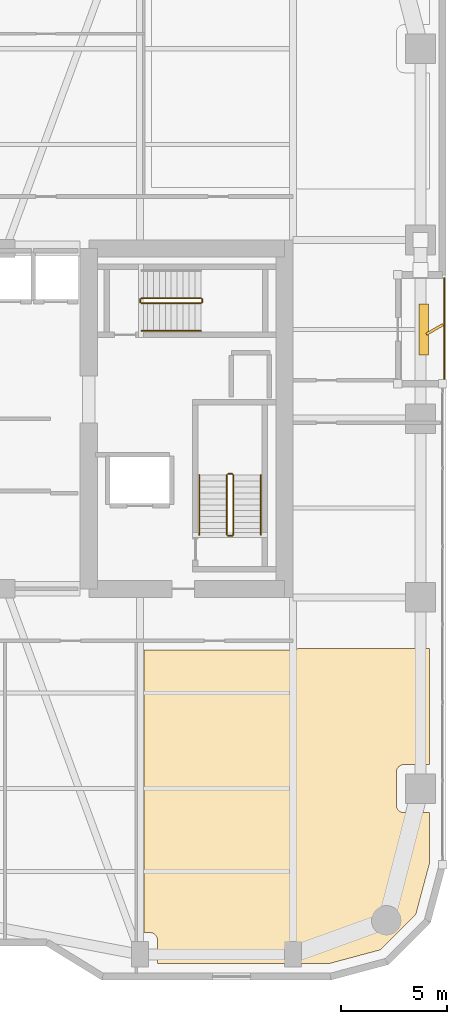
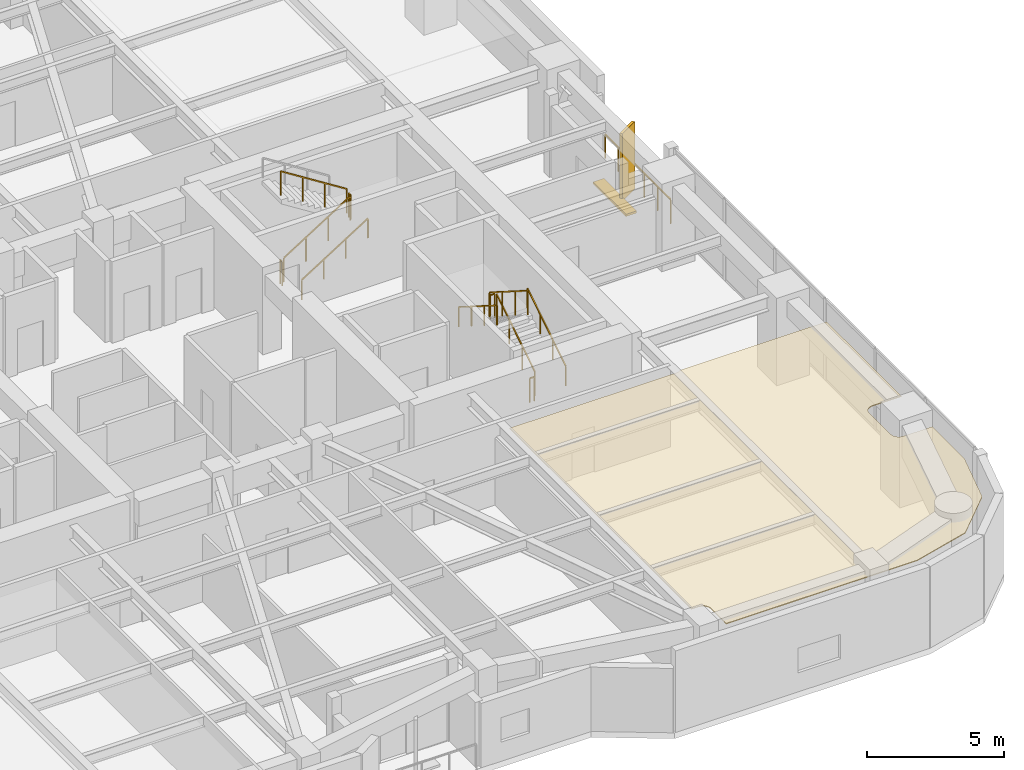
# One storey, part 23 of 24: 12 railings, 2 shading devices, 1 covering.
"""IFC4 building model written with IfcOpenShell, lengths in metres."""

from ifc_helpers import new_model, si_unit, direction, frame, origin, origin_2d, place, context, subcontext, project, spatial, polyline, rectangle, outline, extrude, material, layer, layer_set, type_object, element, save


model = new_model("IFC4")

# Units and contexts
model_context = context("Model", 3, precision=1e-05, world=origin(), true_north=direction((0.0, 1.0)))
body_context = subcontext(model_context, "Body", "Model", "MODEL_VIEW")
ifc_project = project(units=[si_unit("LENGTHUNIT", "METRE"), si_unit("AREAUNIT", "SQUARE_METRE"), si_unit("VOLUMEUNIT", "CUBIC_METRE"), si_unit("PLANEANGLEUNIT", "RADIAN"), si_unit("MASSUNIT", "GRAM", prefix="KILO")], contexts=[model_context])

# Site, building, storey
site_placement = place(None, origin())
site = spatial("IfcSite", under=ifc_project, at=site_placement, CompositionType="ELEMENT")
building_placement = place(site_placement, origin())
building = spatial("IfcBuilding", under=site, at=building_placement, Name="Kiyonajd Concourse Tower", CompositionType="ELEMENT")
storey_placement = place(building_placement, frame((0.0, 0.0, 133.800048828125)))
storey = spatial("IfcBuildingStorey", under=building, at=storey_placement, Name="L34", CompositionType="ELEMENT", Elevation=133.800048828125)

# Covering
ifc_material_1 = material(Name="Natural Oak Acoustic Timber Veneer", Category="wood")
ifc_layer = layer(ifc_material_1, 0.0400390625)
ifc_layer_set = layer_set([ifc_layer], Name="Natural Oak Acoustic Timber Veneer")
covering_type = type_object("IfcCoveringType", Name="CV-CLG-ACST", PredefinedType="CEILING", material=ifc_layer_set)
covering_placement = place(storey_placement, frame((0.0, 0.0, 3.4599609375)))
element("IfcCovering", 1, at=covering_placement, inside=storey, type_object=covering_type, Name="L34-43 Room Acoustic Ceiling", PredefinedType="CEILING", context=body_context, shape_type="SweptSolid", body=[
    extrude(outline(polyline([(57.22998046875, 10.3701171875), (57.22998046875, 11.47998046875), (57.222900390625, 11.548095703125), (57.202880859375, 11.614013671875), (57.1708984375, 11.674072265625), (57.126953125, 11.72705078125), (57.073974609375, 11.77099609375), (57.013916015625, 11.802978515625), (56.9140625, 11.827880859375), (56.60009765625, 11.830078125), (56.60009765625, 25.1201171875), (63.60009765625, 25.1201171875), (63.72998046875, 25.139892578125), (63.79296875, 25.166015625), (63.847900390625, 25.199951171875), (70.030029296875, 25.199951171875), (70.030029296875, 19.72998046875), (68.820068359375, 19.72998046875), (68.751953125, 19.722900390625), (68.655029296875, 19.68896484375), (68.572998046875, 19.626953125), (68.510986328125, 19.544921875), (68.485107421875, 19.48193359375), (68.471923828125, 19.4140625), (68.469970703125, 17.820068359375), (68.485107421875, 17.718017578125), (68.510986328125, 17.655029296875), (68.549072265625, 17.597900390625), (68.597900390625, 17.549072265625), (68.655029296875, 17.510986328125), (68.718017578125, 17.485107421875), (68.785888671875, 17.471923828125), (70.030029296875, 17.469970703125), (70.030029296875, 15.10107421875), (69.385986328125, 12.697998046875), (67.701904296875, 11.013916015625), (65.299072265625, 10.3701171875), (57.22998046875, 10.3701171875)])), origin(), (0.0, 0.0, 1.0), 0.0400390625),
])

# Railings
ifc_material_2 = material(Name="Thermally Broken Anodised Aluminium", Category="aluminium")
railing_type_1 = type_object("IfcRailingType", Name="RL-GRD-LOG", PredefinedType="GUARDRAIL", material=ifc_material_2)
railing_1_placement = place(storey_placement, frame((70.719970703125, 37.800048828125, 0.0)))
element("IfcRailing", 2, at=railing_1_placement, inside=storey, type_object=railing_type_1, Name="L34 Engawa Loggia Perimeter Guard LOG-E", PredefinedType="GUARDRAIL", context=body_context, shape_type="SweptSolid", body=[
    extrude(rectangle(XDim=0.048095703125, YDim=0.048095703125, at=origin_2d()), frame((0.0, 0.0, 1.076171875), z_axis=(0.0, 1.0, 0.0), x_axis=(-1.0, 0.0, 0.0)), (0.0, 0.0, 1.0), 4.800048828125),
    extrude(rectangle(XDim=0.0419921875, YDim=0.0419921875, at=origin_2d()), origin(), (0.0, 0.0, 1.0), 1.052001953125),
    extrude(rectangle(XDim=0.0419921875, YDim=0.0419921875, at=origin_2d()), frame((0.0, 0.9599609375, 0.0)), (0.0, 0.0, 1.0), 1.052001953125),
    extrude(rectangle(XDim=0.0419921875, YDim=0.0419921875, at=origin_2d()), frame((0.0, 1.919921875, 0.0)), (0.0, 0.0, 1.0), 1.052001953125),
    extrude(rectangle(XDim=0.0419921875, YDim=0.0419921875, at=origin_2d()), frame((0.0, 2.880126953125, 0.0)), (0.0, 0.0, 1.0), 1.052001953125),
    extrude(rectangle(XDim=0.0419921875, YDim=0.0419921875, at=origin_2d()), frame((0.0, 3.840087890625, 0.0)), (0.0, 0.0, 1.0), 1.052001953125),
    extrude(rectangle(XDim=0.0419921875, YDim=0.0419921875, at=origin_2d()), frame((0.0, 4.800048828125, 0.0)), (0.0, 0.0, 1.0), 1.052001953125),
])
ifc_material_3 = material(Name="Steel ASTM A500 Grade C", Category="steel")
railing_type_2 = type_object("IfcRailingType", Name="RL-GRD-STR", PredefinedType="GUARDRAIL", material=ifc_material_3)
railing_2_placement = place(storey_placement, frame((60.800048828125, 30.550048828125, 0.17724609375)))
element("IfcRailing", 3, at=railing_2_placement, inside=storey, type_object=railing_type_2, Name="L34 ST2 stair guard 1", PredefinedType="GUARDRAIL", context=body_context, shape_type="SweptSolid", body=[
    extrude(rectangle(XDim=0.048095703125, YDim=0.048095703125, at=origin_2d()), frame((0.0, 0.0, 1.076171875), z_axis=(0.0, 0.844908973607, 0.534910110503), x_axis=(-1.0, 0.0, 0.0)), (0.0, 0.0, 1.0), 3.31396484375),
    extrude(rectangle(XDim=0.0419921875, YDim=0.0419921875, at=origin_2d()), origin(), (0.0, 0.0, 1.0), 1.052001953125),
    extrude(rectangle(XDim=0.0419921875, YDim=0.0419921875, at=origin_2d()), frame((0.0, 0.933349609375, 0.5908203125)), (0.0, 0.0, 1.0), 1.052001953125),
    extrude(rectangle(XDim=0.0419921875, YDim=0.0419921875, at=origin_2d()), frame((0.0, 1.86669921875, 1.181884765625)), (0.0, 0.0, 1.0), 1.052001953125),
    extrude(rectangle(XDim=0.0419921875, YDim=0.0419921875, at=origin_2d()), frame((0.0, 2.800048828125, 1.772705078125)), (0.0, 0.0, 1.0), 1.052001953125),
])
railing_3_placement = place(storey_placement, frame((60.75, 33.39990234375, 1.949951171875)))
element("IfcRailing", 4, at=railing_3_placement, inside=storey, type_object=railing_type_2, Name="L34 ST2 stair guard 2", PredefinedType="GUARDRAIL", context=body_context, shape_type="SweptSolid", body=[
    extrude(rectangle(XDim=0.048095703125, YDim=0.048095703125, at=origin_2d()), frame((0.0, 0.0, 1.076171875), z_axis=(-1.0, 0.0, 0.0), x_axis=(0.0, -1.0, 0.0)), (0.0, 0.0, 1.0), 0.199951171875),
    extrude(rectangle(XDim=0.0419921875, YDim=0.0419921875, at=origin_2d()), origin(), (0.0, 0.0, 1.0), 1.052001953125),
    extrude(rectangle(XDim=0.0419921875, YDim=0.0419921875, at=origin_2d()), frame((-0.199951171875, 0.0, 0.0)), (0.0, 0.0, 1.0), 1.052001953125),
])
railing_4_placement = place(storey_placement, frame((60.5, 33.35009765625, 2.127197265625)))
element("IfcRailing", 5, at=railing_4_placement, inside=storey, type_object=railing_type_2, Name="L34 ST2 stair guard 3", PredefinedType="GUARDRAIL", context=body_context, shape_type="SweptSolid", body=[
    extrude(rectangle(XDim=0.048095703125, YDim=0.048095703125, at=origin_2d()), frame((0.0, 0.0, 1.076171875), z_axis=(0.0, -0.844908973607, 0.534910110503), x_axis=(1.0, 0.0, 0.0)), (0.0, 0.0, 1.0), 3.31396484375),
    extrude(rectangle(XDim=0.0419921875, YDim=0.0419921875, at=origin_2d()), origin(), (0.0, 0.0, 1.0), 1.052001953125),
    extrude(rectangle(XDim=0.0419921875, YDim=0.0419921875, at=origin_2d()), frame((0.0, -0.933349609375, 0.5908203125)), (0.0, 0.0, 1.0), 1.052001953125),
    extrude(rectangle(XDim=0.0419921875, YDim=0.0419921875, at=origin_2d()), frame((0.0, -1.86669921875, 1.181884765625)), (0.0, 0.0, 1.0), 1.052001953125),
    extrude(rectangle(XDim=0.0419921875, YDim=0.0419921875, at=origin_2d()), frame((0.0, -2.800048828125, 1.772705078125)), (0.0, 0.0, 1.0), 1.052001953125),
])
railing_5_placement = place(storey_placement, frame((60.75, 30.5, 0.0)))
element("IfcRailing", 6, at=railing_5_placement, inside=storey, type_object=railing_type_2, Name="L34 ST2 stair guard 4", PredefinedType="GUARDRAIL", context=body_context, shape_type="SweptSolid", body=[
    extrude(rectangle(XDim=0.048095703125, YDim=0.048095703125, at=origin_2d()), frame((0.0, 0.0, 1.076171875), z_axis=(-1.0, 0.0, 0.0), x_axis=(0.0, -1.0, 0.0)), (0.0, 0.0, 1.0), 0.199951171875),
    extrude(rectangle(XDim=0.0419921875, YDim=0.0419921875, at=origin_2d()), origin(), (0.0, 0.0, 1.0), 1.052001953125),
    extrude(rectangle(XDim=0.0419921875, YDim=0.0419921875, at=origin_2d()), frame((-0.199951171875, 0.0, 0.0)), (0.0, 0.0, 1.0), 1.052001953125),
])
railing_6_placement = place(storey_placement, frame((56.47998046875, 41.429931640625, 0.17724609375)))
element("IfcRailing", 7, at=railing_6_placement, inside=storey, type_object=railing_type_2, Name="L34 ST3 stair guard 1", PredefinedType="GUARDRAIL", context=body_context, shape_type="SweptSolid", body=[
    extrude(rectangle(XDim=0.048095703125, YDim=0.048095703125, at=origin_2d()), frame((0.0, 0.0, 1.076171875), z_axis=(0.844908973607, 0.0, 0.534910110503), x_axis=(0.0, 1.0, 0.0)), (0.0, 0.0, 1.0), 3.31396484375),
    extrude(rectangle(XDim=0.0419921875, YDim=0.0419921875, at=origin_2d()), origin(), (0.0, 0.0, 1.0), 1.052001953125),
    extrude(rectangle(XDim=0.0419921875, YDim=0.0419921875, at=origin_2d()), frame((0.933349609375, 0.0, 0.5908203125)), (0.0, 0.0, 1.0), 1.052001953125),
    extrude(rectangle(XDim=0.0419921875, YDim=0.0419921875, at=origin_2d()), frame((1.86669921875, 0.0, 1.181884765625)), (0.0, 0.0, 1.0), 1.052001953125),
    extrude(rectangle(XDim=0.0419921875, YDim=0.0419921875, at=origin_2d()), frame((2.800048828125, 0.0, 1.772705078125)), (0.0, 0.0, 1.0), 1.052001953125),
])
railing_7_placement = place(storey_placement, frame((59.330078125, 41.47998046875, 1.949951171875)))
element("IfcRailing", 8, at=railing_7_placement, inside=storey, type_object=railing_type_2, Name="L34 ST3 stair guard 2", PredefinedType="GUARDRAIL", context=body_context, shape_type="SweptSolid", body=[
    extrude(rectangle(XDim=0.048095703125, YDim=0.048095703125, at=origin_2d()), frame((0.0, 0.0, 1.076171875), z_axis=(0.0, 1.0, 0.0), x_axis=(-1.0, 0.0, 0.0)), (0.0, 0.0, 1.0), 0.14013671875),
    extrude(rectangle(XDim=0.0419921875, YDim=0.0419921875, at=origin_2d()), origin(), (0.0, 0.0, 1.0), 1.052001953125),
    extrude(rectangle(XDim=0.0419921875, YDim=0.0419921875, at=origin_2d()), frame((0.0, 0.14013671875, 0.0)), (0.0, 0.0, 1.0), 1.052001953125),
])
railing_8_placement = place(storey_placement, frame((59.280029296875, 41.669921875, 2.127197265625)))
element("IfcRailing", 9, at=railing_8_placement, inside=storey, type_object=railing_type_2, Name="L34 ST3 stair guard 3", PredefinedType="GUARDRAIL", context=body_context, shape_type="SweptSolid", body=[
    extrude(rectangle(XDim=0.048095703125, YDim=0.048095703125, at=origin_2d()), frame((0.0, 0.0, 1.076171875), z_axis=(-0.844908973607, 0.0, 0.534910110503), x_axis=(0.0, -1.0, 0.0)), (0.0, 0.0, 1.0), 3.31396484375),
    extrude(rectangle(XDim=0.0419921875, YDim=0.0419921875, at=origin_2d()), origin(), (0.0, 0.0, 1.0), 1.052001953125),
    extrude(rectangle(XDim=0.0419921875, YDim=0.0419921875, at=origin_2d()), frame((-0.933349609375, 0.0, 0.5908203125)), (0.0, 0.0, 1.0), 1.052001953125),
    extrude(rectangle(XDim=0.0419921875, YDim=0.0419921875, at=origin_2d()), frame((-1.86669921875, 0.0, 1.181884765625)), (0.0, 0.0, 1.0), 1.052001953125),
    extrude(rectangle(XDim=0.0419921875, YDim=0.0419921875, at=origin_2d()), frame((-2.800048828125, 0.0, 1.772705078125)), (0.0, 0.0, 1.0), 1.052001953125),
])
railing_9_placement = place(storey_placement, frame((56.429931640625, 41.47998046875, 0.0)))
element("IfcRailing", 10, at=railing_9_placement, inside=storey, type_object=railing_type_2, Name="L34 ST3 stair guard 4", PredefinedType="GUARDRAIL", context=body_context, shape_type="SweptSolid", body=[
    extrude(rectangle(XDim=0.048095703125, YDim=0.048095703125, at=origin_2d()), frame((0.0, 0.0, 1.076171875), z_axis=(0.0, 1.0, 0.0), x_axis=(-1.0, 0.0, 0.0)), (0.0, 0.0, 1.0), 0.14013671875),
    extrude(rectangle(XDim=0.0419921875, YDim=0.0419921875, at=origin_2d()), origin(), (0.0, 0.0, 1.0), 1.052001953125),
    extrude(rectangle(XDim=0.0419921875, YDim=0.0419921875, at=origin_2d()), frame((0.0, 0.14013671875, 0.0)), (0.0, 0.0, 1.0), 1.052001953125),
])
ifc_material_4 = material(Name="Brushed Stainless Steel Cab Assembly", Category="steel")
railing_type_3 = type_object("IfcRailingType", Name="RL-HND-900", PredefinedType="HANDRAIL", material=ifc_material_4)
railing_10_placement = place(storey_placement, frame((62.10009765625, 30.550048828125, 0.17724609375)))
element("IfcRailing", 11, at=railing_10_placement, inside=storey, type_object=railing_type_3, Name="L34 ST2 stair handrail 1", PredefinedType="HANDRAIL", context=body_context, shape_type="SweptSolid", body=[
    extrude(rectangle(XDim=0.048095703125, YDim=0.048095703125, at=origin_2d()), frame((0.0, 0.0, 0.8759765625), z_axis=(0.0, 0.844908973607, 0.534910110503), x_axis=(-1.0, 0.0, 0.0)), (0.0, 0.0, 1.0), 3.31396484375),
    extrude(rectangle(XDim=0.0419921875, YDim=0.0419921875, at=origin_2d()), origin(), (0.0, 0.0, 1.0), 0.851806640625),
    extrude(rectangle(XDim=0.0419921875, YDim=0.0419921875, at=origin_2d()), frame((0.0, 0.933349609375, 0.5908203125)), (0.0, 0.0, 1.0), 0.851806640625),
    extrude(rectangle(XDim=0.0419921875, YDim=0.0419921875, at=origin_2d()), frame((0.0, 1.86669921875, 1.181884765625)), (0.0, 0.0, 1.0), 0.851806640625),
    extrude(rectangle(XDim=0.0419921875, YDim=0.0419921875, at=origin_2d()), frame((0.0, 2.800048828125, 1.772705078125)), (0.0, 0.0, 1.0), 0.851806640625),
])
railing_11_placement = place(storey_placement, frame((59.199951171875, 33.35009765625, 2.127197265625)))
element("IfcRailing", 12, at=railing_11_placement, inside=storey, type_object=railing_type_3, Name="L34 ST2 stair handrail 2", PredefinedType="HANDRAIL", context=body_context, shape_type="SweptSolid", body=[
    extrude(rectangle(XDim=0.048095703125, YDim=0.048095703125, at=origin_2d()), frame((0.0, 0.0, 0.8759765625), z_axis=(0.0, -0.844908973607, 0.534910110503), x_axis=(1.0, 0.0, 0.0)), (0.0, 0.0, 1.0), 3.31396484375),
    extrude(rectangle(XDim=0.0419921875, YDim=0.0419921875, at=origin_2d()), origin(), (0.0, 0.0, 1.0), 0.851806640625),
    extrude(rectangle(XDim=0.0419921875, YDim=0.0419921875, at=origin_2d()), frame((0.0, -0.933349609375, 0.5908203125)), (0.0, 0.0, 1.0), 0.851806640625),
    extrude(rectangle(XDim=0.0419921875, YDim=0.0419921875, at=origin_2d()), frame((0.0, -1.86669921875, 1.181884765625)), (0.0, 0.0, 1.0), 0.851806640625),
    extrude(rectangle(XDim=0.0419921875, YDim=0.0419921875, at=origin_2d()), frame((0.0, -2.800048828125, 1.772705078125)), (0.0, 0.0, 1.0), 0.851806640625),
])
railing_12_placement = place(storey_placement, frame((56.47998046875, 40.1298828125, 0.17724609375)))
element("IfcRailing", 13, at=railing_12_placement, inside=storey, type_object=railing_type_3, Name="L34 ST3 stair handrail 1", PredefinedType="HANDRAIL", context=body_context, shape_type="SweptSolid", body=[
    extrude(rectangle(XDim=0.048095703125, YDim=0.048095703125, at=origin_2d()), frame((0.0, 0.0, 0.8759765625), z_axis=(0.844908973607, 0.0, 0.534910110503), x_axis=(0.0, 1.0, 0.0)), (0.0, 0.0, 1.0), 3.31396484375),
    extrude(rectangle(XDim=0.0419921875, YDim=0.0419921875, at=origin_2d()), origin(), (0.0, 0.0, 1.0), 0.851806640625),
    extrude(rectangle(XDim=0.0419921875, YDim=0.0419921875, at=origin_2d()), frame((0.933349609375, 0.0, 0.5908203125)), (0.0, 0.0, 1.0), 0.851806640625),
    extrude(rectangle(XDim=0.0419921875, YDim=0.0419921875, at=origin_2d()), frame((1.86669921875, 0.0, 1.181884765625)), (0.0, 0.0, 1.0), 0.851806640625),
    extrude(rectangle(XDim=0.0419921875, YDim=0.0419921875, at=origin_2d()), frame((2.800048828125, 0.0, 1.772705078125)), (0.0, 0.0, 1.0), 0.851806640625),
])

# Shading devices
ifc_material_5 = material(Name="Precast concrete C50/60", Category="concrete")
shading_device_type_1 = type_object("IfcShadingDeviceType", Name="SH-FIN-900", PredefinedType="USERDEFINED", material=ifc_material_5)
shading_device_1_placement = place(storey_placement, frame((70.27001953125, 40.199951171875, 0.0), z_axis=(0.0, 0.0, 1.0), x_axis=(0.866025403784, 0.5, 0.0)))
element("IfcShadingDevice", 14, at=shading_device_1_placement, inside=storey, type_object=shading_device_type_1, Name="L34 Angled Koshi Solar Fin LOG-E", ObjectType="FIN", PredefinedType="USERDEFINED", context=body_context, shape_type="SweptSolid", body=[
    extrude(rectangle(XDim=0.89990234375, YDim=0.1201171875, at=origin_2d()), origin(), (0.0, 0.0, 1.0), 3.0),
])
shading_device_type_2 = type_object("IfcShadingDeviceType", Name="SH-LVR-600", PredefinedType="JALOUSIE", material=ifc_material_2)
shading_device_2_placement = place(storey_placement, frame((69.75, 40.199951171875, 0.0), z_axis=(0.0, 0.0, 1.0), x_axis=(0.0, 1.0, 0.0)))
element("IfcShadingDevice", 15, at=shading_device_2_placement, inside=storey, type_object=shading_device_type_2, Name="L34 Loggia Threshold Louver LOG-E", PredefinedType="JALOUSIE", context=body_context, shape_type="SweptSolid", body=[
    extrude(rectangle(XDim=2.39990234375, YDim=0.449951171875, at=origin_2d()), origin(), (0.0, 0.0, 1.0), 0.10009765625),
])

save(model, "model.ifc")
